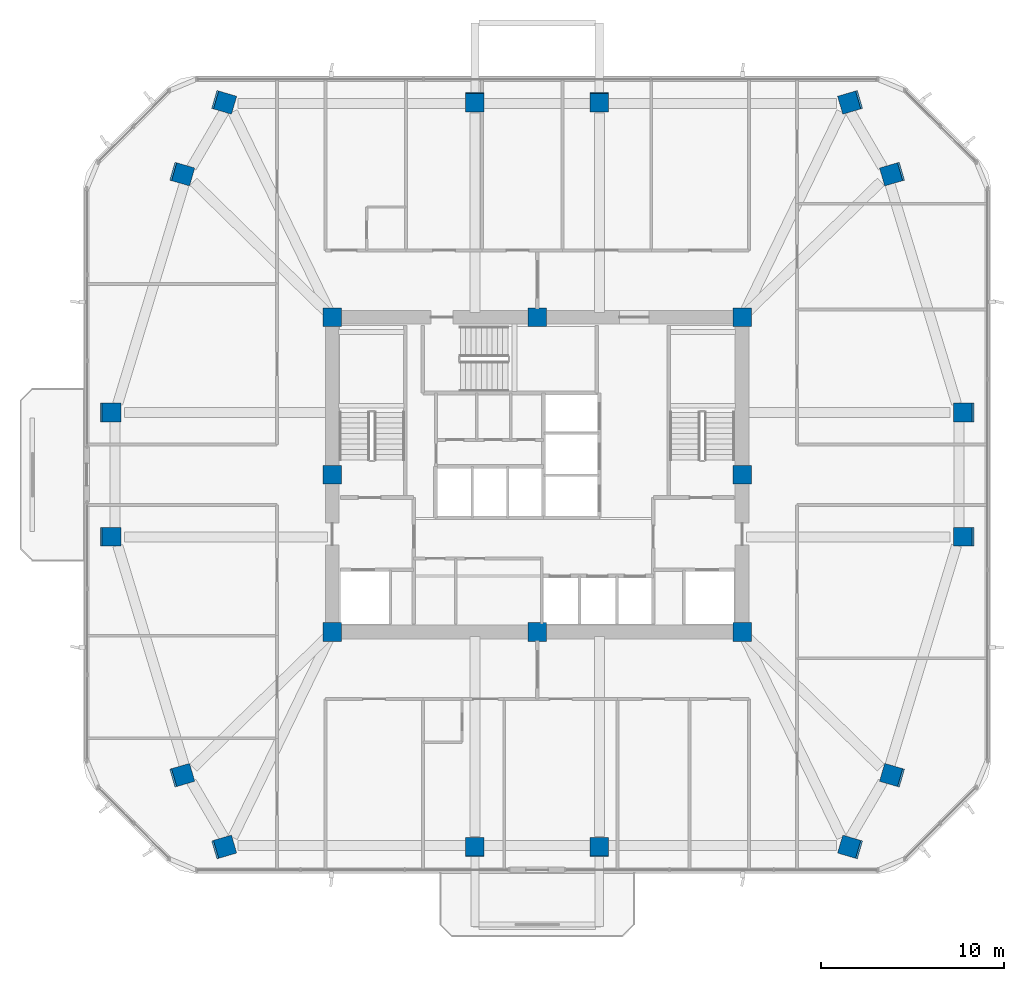
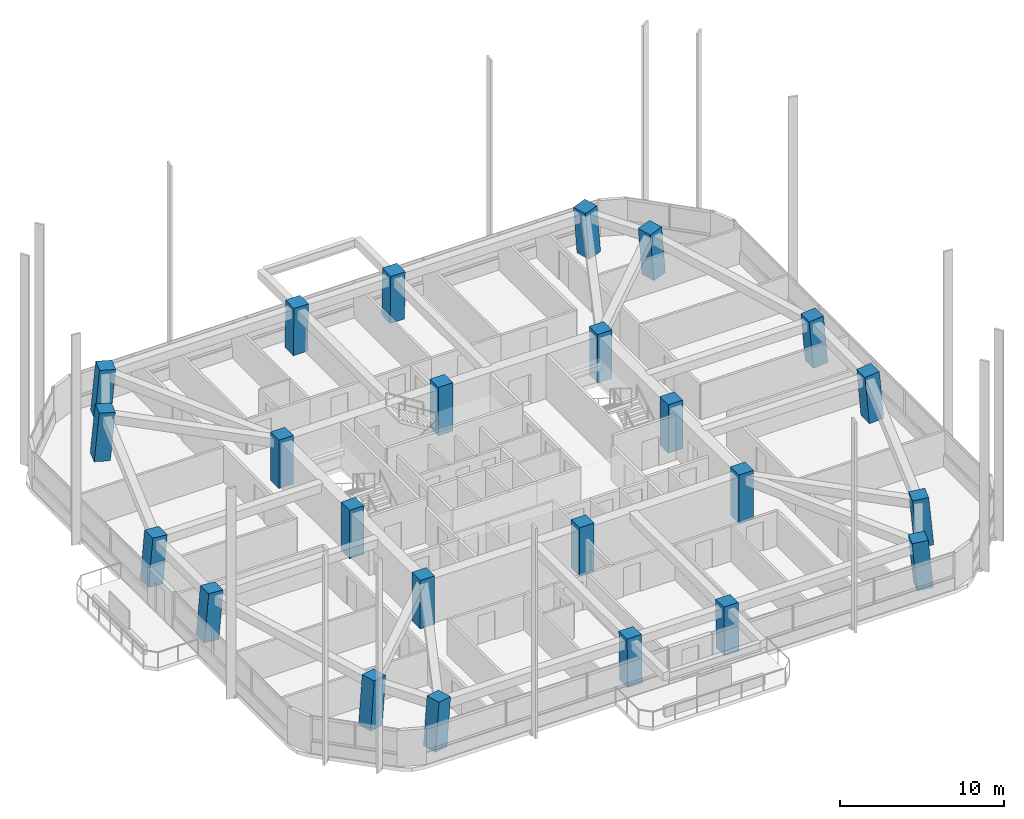
# One storey, part 1 of 15: 24 columns.
"""IFC4 building model written with IfcOpenShell, lengths in metres."""

import ifcopenshell
import ifcopenshell.guid

model = None  # the IFC model being written
_history = None  # IfcOwnerHistory: only IFC2X3 demands one
_inside = {}  # id of a spatial element -> (the spatial element, [elements in it])
_under = {}  # id of a project, library or spatial element -> (it, [spatial elements below it])
_declared = {}  # id of a project -> (the project, [libraries it declares])
_typed = {}  # id of a type object -> (the type object, [elements of that type])
_made_of = {}  # id of a material, layer set ... -> (it, [elements and type objects made of it])


def new_model(schema):
    """Start an empty IFC model of exactly this schema.

    Asked for "IFC4X3", IfcOpenShell would pick the latest addendum, in which some entities
    have other attributes; the version numbers below select the first issue.
    IFC2X3 requires an IfcOwnerHistory on every rooted entity: one is made here for all.
    """
    global model, _history
    if schema == "IFC4X3":
        model = ifcopenshell.file(schema_version=(4, 3, 0, 0))
    else:
        model = ifcopenshell.file(schema=schema)
    _inside.clear()
    _under.clear()
    _declared.clear()
    _typed.clear()
    _made_of.clear()
    _history = None
    if model.schema == "IFC2X3":
        org = make("IfcOrganization", Name="unknown")
        user = make(
            "IfcPersonAndOrganization",
            ThePerson=make("IfcPerson", FamilyName="unknown"),
            TheOrganization=org,
        )
        app = make(
            "IfcApplication",
            ApplicationDeveloper=org,
            Version="unknown",
            ApplicationFullName="unknown",
            ApplicationIdentifier="unknown",
        )
        _history = make(
            "IfcOwnerHistory",
            OwningUser=user,
            OwningApplication=app,
            ChangeAction="ADDED",
            CreationDate=0,
        )
    return model


def make(cls, **values):
    """One entity of the class cls with the attributes given. An attribute that is None is left unset."""
    return model.create_entity(
        cls, **{name: value for name, value in values.items() if value is not None}
    )


def rooted(cls, **values):
    """An entity with a GlobalId (a new one), such as an element, a storey or a relation."""
    return make(cls, GlobalId=ifcopenshell.guid.new(), OwnerHistory=_history, **values)


def si_unit(unit_type, name, prefix=None):
    """IfcSIUnit, for example si_unit("LENGTHUNIT", "METRE", prefix="MILLI")."""
    return make("IfcSIUnit", UnitType=unit_type, Prefix=prefix, Name=name)


def derived_unit(unit_type, elements):
    """IfcDerivedUnit: a product of units, each with its exponent."""
    return make(
        "IfcDerivedUnit",
        Elements=[
            make("IfcDerivedUnitElement", Unit=unit, Exponent=power)
            for unit, power in elements
        ],
        UnitType=unit_type,
    )


def assignment(units):
    """IfcUnitAssignment: the units of a project."""
    return None if units is None else make("IfcUnitAssignment", Units=units)


def point(xyz):
    """IfcCartesianPoint."""
    return None if xyz is None else make("IfcCartesianPoint", Coordinates=xyz)


def direction(xyz):
    """IfcDirection."""
    return None if xyz is None else make("IfcDirection", DirectionRatios=xyz)


def frame(location, z_axis=None, x_axis=None):
    """IfcAxis2Placement3D, a coordinate frame: its origin and axes. An axis left out is left unset."""
    return make(
        "IfcAxis2Placement3D",
        Location=point(location),
        Axis=direction(z_axis),
        RefDirection=direction(x_axis),
    )


def frame_2d(location, x_axis=None):
    """IfcAxis2Placement2D, a coordinate frame in the plane: its origin and x axis."""
    return make(
        "IfcAxis2Placement2D", Location=point(location), RefDirection=direction(x_axis)
    )


def origin():
    """The frame at (0, 0, 0) with its axes left unset."""
    return frame((0.0, 0.0, 0.0))


def origin_2d():
    """The frame at (0, 0) in the plane with its x axis left unset."""
    return frame_2d((0.0, 0.0))


def place(relative_to, where):
    """IfcLocalPlacement: puts the frame where relative to a parent placement (None: the world)."""
    return make(
        "IfcLocalPlacement", PlacementRelTo=relative_to, RelativePlacement=where
    )


def context(
    kind, dimensions, precision=None, world=None, true_north=None, identifier=None
):
    """IfcGeometricRepresentationContext, for example the 3D "Model" context."""
    return make(
        "IfcGeometricRepresentationContext",
        ContextIdentifier=identifier,
        ContextType=kind,
        CoordinateSpaceDimension=dimensions,
        Precision=precision,
        WorldCoordinateSystem=world,
        TrueNorth=true_north,
    )


def subcontext(parent, identifier, kind, view, scale=None):
    """IfcGeometricRepresentationSubContext, for example "Body" below "Model"."""
    return make(
        "IfcGeometricRepresentationSubContext",
        ContextIdentifier=identifier,
        ContextType=kind,
        ParentContext=parent,
        TargetScale=scale,
        TargetView=view,
    )


def project(units=None, contexts=None):
    """IfcProject with its units and contexts."""
    return rooted(
        "IfcProject",
        Name="project",
        RepresentationContexts=contexts,
        UnitsInContext=assignment(units),
    )


def spatial(cls, under=None, at=None, **own):
    """A site, building, storey or space (cls), placed at a placement, below another one or the project."""
    s = rooted(cls, ObjectPlacement=at, **own)
    if under is not None:
        _under.setdefault(under.id(), (under, []))[1].append(s)
    return s


def profile(cls, at=None, kind="AREA", **sizes):
    """A parametric profile (cls). Its sizes go by their IFC names, for example OverallWidth=200.0."""
    return make(cls, ProfileType=kind, Position=at, **sizes)


def rectangle(**sizes):
    """IfcRectangleProfileDef."""
    return profile("IfcRectangleProfileDef", **sizes)


def extrude(swept, where, along, depth):
    """IfcExtrudedAreaSolid: the profile swept, set in the frame where, extruded along a direction by depth."""
    return make(
        "IfcExtrudedAreaSolid",
        SweptArea=swept,
        Position=where,
        ExtrudedDirection=direction(along),
        Depth=depth,
    )


def shape(context_of_items, identifier, shape_type, items):
    """IfcShapeRepresentation: the items that make up one representation, for example the "Body"."""
    return make(
        "IfcShapeRepresentation",
        ContextOfItems=context_of_items,
        RepresentationIdentifier=identifier,
        RepresentationType=shape_type,
        Items=items,
    )


def material(Name=None, Category=None):
    """IfcMaterial."""
    return make("IfcMaterial", Name=Name, Category=Category)


def material_profile(
    of_material, cross_section, Name=None, Category=None, Priority=None
):
    """IfcMaterialProfile: a cross section and its material."""
    return make(
        "IfcMaterialProfile",
        Name=Name,
        Material=of_material,
        Profile=cross_section,
        Priority=Priority,
        Category=Category,
    )


def profile_set(profiles, Name=None, composite=None):
    """IfcMaterialProfileSet."""
    return make(
        "IfcMaterialProfileSet",
        Name=Name,
        MaterialProfiles=profiles,
        CompositeProfile=composite,
    )


def made_of(thing, what):
    """Note that an element or type object is made of a material, layer set ...; save() writes the relation."""
    if what is not None:
        _made_of.setdefault(what.id(), (what, []))[1].append(thing)
    return thing


def type_object(cls, material=None, **own):
    """A type object (cls), such as IfcWallType, which elements share."""
    return made_of(rooted(cls, **own), material)


def element(
    cls,
    number,
    at=None,
    inside=None,
    cuts=None,
    type_object=None,
    material=None,
    context=None,
    identifier="Body",
    shape_type=None,
    held_by="IfcProductDefinitionShape",
    body=None,
    shapes=None,
    **own,
):
    """One element of the class cls, such as IfcWall. Its Tag is "e" and its number.

    at: its placement. inside: the storey or other place that contains it. cuts: it is an
    opening in that element (IfcRelVoidsElement). A single representation is given by context,
    identifier, shape_type and body (its items); several are given by shapes. held_by: the class
    of the entity that holds the representations. save() writes the other relations.
    """
    e = rooted(cls, Tag="e%d" % number, ObjectPlacement=at, **own)
    if body is not None:
        shapes = [shape(context, identifier, shape_type, body)]
    if shapes is not None:
        e.Representation = make(held_by, Representations=shapes)
    if inside is not None:
        _inside.setdefault(inside.id(), (inside, []))[1].append(e)
    if cuts is not None:
        rooted(
            "IfcRelVoidsElement", RelatingBuildingElement=cuts, RelatedOpeningElement=e
        )
    if type_object is not None:
        _typed.setdefault(type_object.id(), (type_object, []))[1].append(e)
    return made_of(e, material)


def aggregate(whole, parts):
    """IfcRelAggregates: a whole, such as a stair, and the parts it consists of."""
    return rooted("IfcRelAggregates", RelatingObject=whole, RelatedObjects=parts)


def save(model, path):
    """Write the relations noted so far, then the file.

    IfcRelAggregates (storeys below a building ...), IfcRelContainedInSpatialStructure (elements
    in a storey), IfcRelDefinesByType, IfcRelAssociatesMaterial and IfcRelDeclares: one each for
    every whole, place, type object, material and project.
    """
    for whole, parts in _under.values():
        aggregate(whole, parts)
    for where, things in _inside.values():
        rooted(
            "IfcRelContainedInSpatialStructure",
            RelatedElements=things,
            RelatingStructure=where,
        )
    for kind, things in _typed.values():
        rooted("IfcRelDefinesByType", RelatedObjects=things, RelatingType=kind)
    for what, things in _made_of.values():
        rooted("IfcRelAssociatesMaterial", RelatedObjects=things, RelatingMaterial=what)
    for by, libraries in _declared.values():
        rooted("IfcRelDeclares", RelatingContext=by, RelatedDefinitions=libraries)
    model.write(path)


model = new_model("IFC4")

# Units and contexts
model_context = context("Model", 3, precision=1e-05, world=origin(), true_north=direction((0.0, 1.0)))
body_context = subcontext(model_context, "Body", "Model", "MODEL_VIEW")
ifc_project = project(units=[si_unit("LENGTHUNIT", "METRE"), si_unit("AREAUNIT", "SQUARE_METRE"), si_unit("VOLUMEUNIT", "CUBIC_METRE"), si_unit("PLANEANGLEUNIT", "RADIAN"), si_unit("MASSUNIT", "GRAM", prefix="KILO"), derived_unit("THERMALTRANSMITTANCEUNIT", [(si_unit("POWERUNIT", "WATT"), 1), (si_unit("LENGTHUNIT", "METRE"), -2), (si_unit("THERMODYNAMICTEMPERATUREUNIT", "KELVIN"), -1)])], contexts=[model_context])

# Site, building, storey
site_placement = place(None, origin())
site = spatial("IfcSite", under=ifc_project, at=site_placement, CompositionType="ELEMENT")
building_placement = place(site_placement, origin())
building = spatial("IfcBuilding", under=site, at=building_placement, Name="Koralith Skygarden Medical Center", CompositionType="ELEMENT")
storey_placement = place(building_placement, frame((0.0, 0.0, 113.580078125)))
storey = spatial("IfcBuildingStorey", under=building, at=storey_placement, Name="L29", CompositionType="ELEMENT", Elevation=113.580078125)

# Columns
ifc_material = material(Name="Concrete C70/85", Category="concrete")
ifc_material_profile_1 = material_profile(ifc_material, rectangle(XDim=1.02001953125, YDim=1.02001953125, at=origin_2d()), Name="RC1020X1020")
ifc_profile_set_1 = profile_set([ifc_material_profile_1], Name="Concrete C70/85")
column_type_1 = type_object("IfcColumnType", Name="Core Mega-Column C70 RC1020", PredefinedType="COLUMN", material=ifc_profile_set_1)
for number, where, z_axis, x_axis, name in (
    (1, (25.800048828125, 17.300048828125, 0.0), (0.0, 0.0, 1.0), (1.0, 0.0, 0.0), "L29 Core Column CC-01"),
    (2, (37.0, 17.300048828125, 0.0), (0.0, 0.0, 1.0), (1.0, 0.0, 0.0), "L29 Core Column CC-02"),
    (3, (48.199951171875, 17.300048828125, 0.0), (0.0, 0.0, 1.0), (1.0, 0.0, 0.0), "L29 Core Column CC-03"),
    (4, (48.199951171875, 25.89990234375, 0.0), (0.0, 0.0, 1.0), (1.0, 0.0, 0.0), "L29 Core Column CC-04"),
    (5, (48.199951171875, 34.5, 0.0), (0.0, 0.0, 1.0), (1.0, 0.0, 0.0), "L29 Core Column CC-05"),
    (6, (37.0, 34.5, 0.0), (0.0, 0.0, 1.0), (1.0, 0.0, 0.0), "L29 Core Column CC-06"),
    (7, (25.800048828125, 34.5, 0.0), (0.0, 0.0, 1.0), (1.0, 0.0, 0.0), "L29 Core Column CC-07"),
    (8, (25.800048828125, 25.89990234375, 0.0), (0.0, 0.0, 1.0), (1.0, 0.0, 0.0), "L29 Core Column CC-08"),
):
    element("IfcColumn", number, at=place(storey_placement, frame(where, z_axis=z_axis, x_axis=x_axis)), inside=storey, type_object=column_type_1, Name=name, PredefinedType="COLUMN", context=body_context, shape_type="SweptSolid", body=[
        extrude(rectangle(XDim=1.02001953125, YDim=1.02001953125, at=origin_2d()), origin(), (0.0, 0.0, 1.0), 3.599853515625),
    ])
ifc_material_profile_2 = material_profile(ifc_material, rectangle(XDim=1.02001953125, YDim=1.02001953125, at=origin_2d()), Name="RC1020X1020")
ifc_profile_set_2 = profile_set([ifc_material_profile_2], Name="Concrete C70/85")
column_type_2 = type_object("IfcColumnType", Name="Zone 2 Waist-In Mega-Column C70 RC1020", PredefinedType="COLUMN", material=ifc_profile_set_2)
column_1_placement = place(storey_placement, frame((13.635986328125, 22.5, 0.02099609375), z_axis=(0.084578849141, 0.0, 0.99641678944), x_axis=(0.0, 1.0, 0.0)))
element("IfcColumn", 9, at=column_1_placement, inside=storey, type_object=column_type_2, Name="L29 Perimeter Mega-Column MC-01", PredefinedType="COLUMN", context=body_context, shape_type="SweptSolid", body=[
    extrude(rectangle(XDim=1.02001953125, YDim=1.02001953125, at=origin_2d()), origin(), (0.0, 0.0, 1.0), 3.570556640625),
])
for number, where, z_axis, x_axis, name in (
    (10, (17.555908203125, 9.4599609375, 0.02099609375), (0.084824545187, 0.024674988568, 0.996090327969), (-0.279316570626, 0.960199069659, 0.0), "L29 Perimeter Mega-Column MC-02"),
    (11, (19.847900390625, 5.5390625, 0.02099609375), (0.084552666287, 0.024880493556, 0.996108331289), (-0.282292283154, 0.959328445774, 0.0), "L29 Perimeter Mega-Column MC-03"),
):
    element("IfcColumn", number, at=place(storey_placement, frame(where, z_axis=z_axis, x_axis=x_axis)), inside=storey, type_object=column_type_2, Name=name, PredefinedType="COLUMN", context=body_context, shape_type="SweptSolid", body=[
        extrude(rectangle(XDim=1.02001953125, YDim=1.02001953125, at=origin_2d()), origin(), (0.0, 0.0, 1.0), 3.57177734375),
    ])
for number, where, z_axis, x_axis, name in (
    (12, (33.60009765625, 5.5390625, 0.02099609375), (0.0, 0.024969910516, 0.999688203176), (-1.0, 0.0, 0.0), "L29 Perimeter Mega-Column MC-04"),
    (13, (40.39990234375, 5.5390625, 0.02099609375), (0.0, 0.024969910516, 0.999688203176), (-1.0, 0.0, 0.0), "L29 Perimeter Mega-Column MC-05"),
):
    element("IfcColumn", number, at=place(storey_placement, frame(where, z_axis=z_axis, x_axis=x_axis)), inside=storey, type_object=column_type_2, Name=name, PredefinedType="COLUMN", context=body_context, shape_type="SweptSolid", body=[
        extrude(rectangle(XDim=1.02001953125, YDim=1.02001953125, at=origin_2d()), origin(), (0.0, 0.0, 1.0), 3.55908203125),
    ])
for number, where, z_axis, x_axis, name in (
    (14, (54.152099609375, 5.5390625, 0.02099609375), (-0.084552666287, 0.024880493556, 0.996108331289), (-0.282292283154, -0.959328445774, 0.0), "L29 Perimeter Mega-Column MC-06"),
    (15, (56.444091796875, 9.4599609375, 0.02099609375), (-0.084824545187, 0.024674988568, 0.996090327969), (-0.279316570626, -0.960199069659, 0.0), "L29 Perimeter Mega-Column MC-07"),
):
    element("IfcColumn", number, at=place(storey_placement, frame(where, z_axis=z_axis, x_axis=x_axis)), inside=storey, type_object=column_type_2, Name=name, PredefinedType="COLUMN", context=body_context, shape_type="SweptSolid", body=[
        extrude(rectangle(XDim=1.02001953125, YDim=1.02001953125, at=origin_2d()), origin(), (0.0, 0.0, 1.0), 3.57177734375),
    ])
for number, where, z_axis, x_axis, name in (
    (16, (60.364013671875, 22.5, 0.02099609375), (-0.084578849141, 0.0, 0.99641678944), (0.0, -1.0, 0.0), "L29 Perimeter Mega-Column MC-08"),
    (17, (60.364013671875, 29.300048828125, 0.02099609375), (-0.084578849141, 0.0, 0.99641678944), (0.0, -1.0, 0.0), "L29 Perimeter Mega-Column MC-09"),
):
    element("IfcColumn", number, at=place(storey_placement, frame(where, z_axis=z_axis, x_axis=x_axis)), inside=storey, type_object=column_type_2, Name=name, PredefinedType="COLUMN", context=body_context, shape_type="SweptSolid", body=[
        extrude(rectangle(XDim=1.02001953125, YDim=1.02001953125, at=origin_2d()), origin(), (0.0, 0.0, 1.0), 3.570556640625),
    ])
for number, where, z_axis, x_axis, name in (
    (18, (56.444091796875, 42.340087890625, 0.02099609375), (-0.084824545187, -0.024674988568, 0.996090327969), (0.279316570626, -0.960199069659, 0.0), "L29 Perimeter Mega-Column MC-10"),
    (19, (54.152099609375, 46.260986328125, 0.02099609375), (-0.084552666287, -0.024880493556, 0.996108331289), (0.282292283154, -0.959328445774, 0.0), "L29 Perimeter Mega-Column MC-11"),
):
    element("IfcColumn", number, at=place(storey_placement, frame(where, z_axis=z_axis, x_axis=x_axis)), inside=storey, type_object=column_type_2, Name=name, PredefinedType="COLUMN", context=body_context, shape_type="SweptSolid", body=[
        extrude(rectangle(XDim=1.02001953125, YDim=1.02001953125, at=origin_2d()), origin(), (0.0, 0.0, 1.0), 3.57177734375),
    ])
for number, where, z_axis, x_axis, name in (
    (20, (40.39990234375, 46.260986328125, 0.02099609375), (0.0, -0.024969910516, 0.999688203176), (1.0, 0.0, 0.0), "L29 Perimeter Mega-Column MC-12"),
    (21, (33.60009765625, 46.260986328125, 0.02099609375), (0.0, -0.024969910516, 0.999688203176), (1.0, 0.0, 0.0), "L29 Perimeter Mega-Column MC-13"),
):
    element("IfcColumn", number, at=place(storey_placement, frame(where, z_axis=z_axis, x_axis=x_axis)), inside=storey, type_object=column_type_2, Name=name, PredefinedType="COLUMN", context=body_context, shape_type="SweptSolid", body=[
        extrude(rectangle(XDim=1.02001953125, YDim=1.02001953125, at=origin_2d()), origin(), (0.0, 0.0, 1.0), 3.55908203125),
    ])
for number, where, z_axis, x_axis, name in (
    (22, (19.847900390625, 46.260986328125, 0.02099609375), (0.084552666287, -0.024880493556, 0.996108331289), (0.282292283154, 0.959328445774, 0.0), "L29 Perimeter Mega-Column MC-14"),
    (23, (17.555908203125, 42.340087890625, 0.02099609375), (0.084824545187, -0.024674988568, 0.996090327969), (0.279316570626, 0.960199069659, 0.0), "L29 Perimeter Mega-Column MC-15"),
):
    element("IfcColumn", number, at=place(storey_placement, frame(where, z_axis=z_axis, x_axis=x_axis)), inside=storey, type_object=column_type_2, Name=name, PredefinedType="COLUMN", context=body_context, shape_type="SweptSolid", body=[
        extrude(rectangle(XDim=1.02001953125, YDim=1.02001953125, at=origin_2d()), origin(), (0.0, 0.0, 1.0), 3.57177734375),
    ])
column_2_placement = place(storey_placement, frame((13.635986328125, 29.300048828125, 0.02099609375), z_axis=(0.084578849141, 0.0, 0.99641678944), x_axis=(0.0, 1.0, 0.0)))
element("IfcColumn", 24, at=column_2_placement, inside=storey, type_object=column_type_2, Name="L29 Perimeter Mega-Column MC-16", PredefinedType="COLUMN", context=body_context, shape_type="SweptSolid", body=[
    extrude(rectangle(XDim=1.02001953125, YDim=1.02001953125, at=origin_2d()), origin(), (0.0, 0.0, 1.0), 3.570556640625),
])

save(model, "model.ifc")
